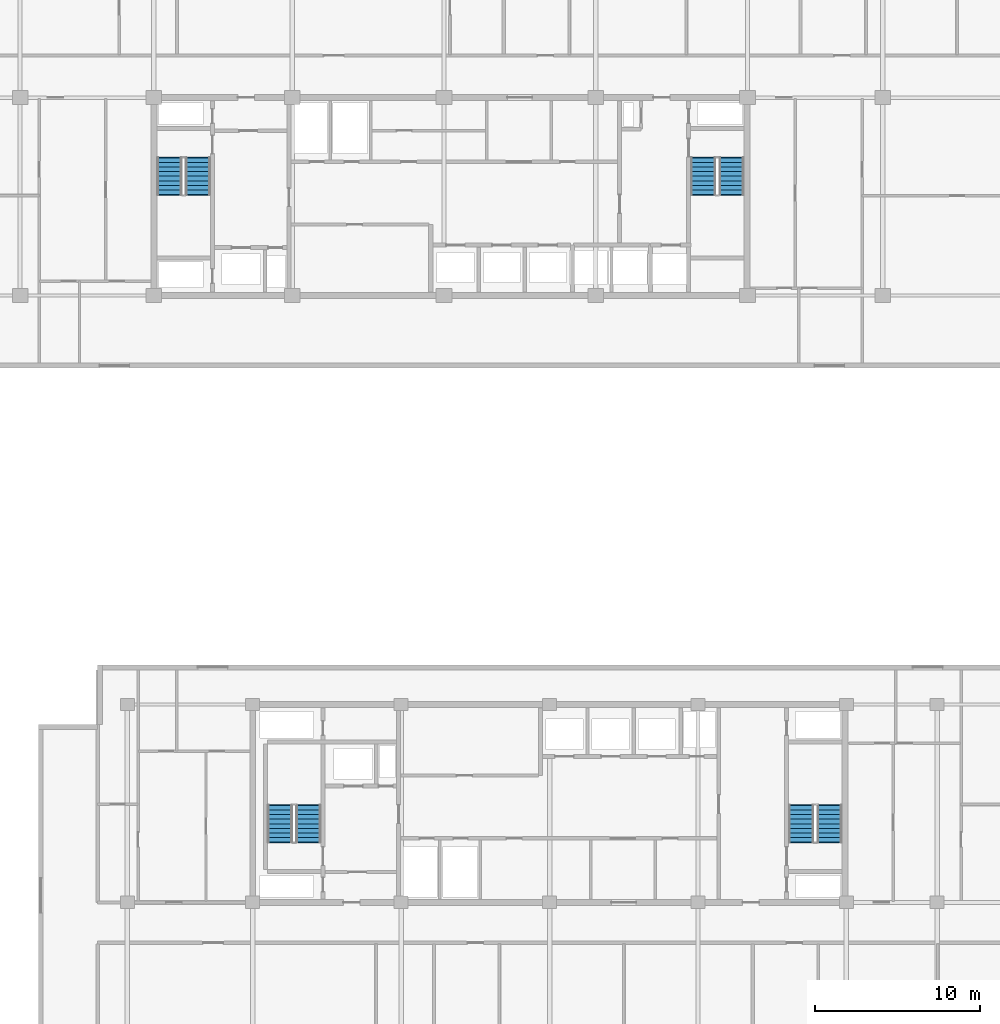
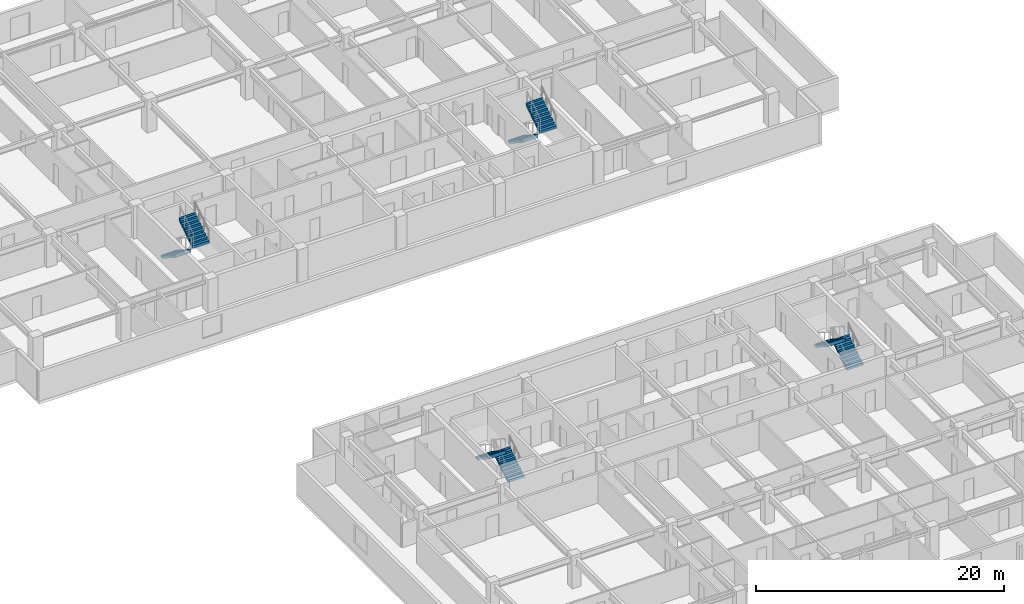
# One storey, part 16 of 21: 8 stair flights, 4 elements without a shape of their own.
"""IFC4 building model written with IfcOpenShell, lengths in metres."""

from ifc_helpers import new_model, si_unit, direction, frame, origin, place, context, subcontext, project, spatial, polyline, outline, extrude, material, type_object, element, aggregate, save


model = new_model("IFC4")

# Units and contexts
model_context = context("Model", 3, precision=1e-05, world=origin(), true_north=direction((0.0, 1.0)))
body_context = subcontext(model_context, "Body", "Model", "MODEL_VIEW")
ifc_project = project(units=[si_unit("LENGTHUNIT", "METRE"), si_unit("AREAUNIT", "SQUARE_METRE"), si_unit("VOLUMEUNIT", "CUBIC_METRE"), si_unit("PLANEANGLEUNIT", "RADIAN"), si_unit("MASSUNIT", "GRAM", prefix="KILO")], contexts=[model_context])

# Site, building, storey
site_placement = place(None, origin())
site = spatial("IfcSite", under=ifc_project, at=site_placement, CompositionType="ELEMENT")
building_placement = place(site_placement, origin())
building = spatial("IfcBuilding", under=site, at=building_placement, Name="Korimba Cascade Residences", CompositionType="ELEMENT")
storey_placement = place(building_placement, frame((0.0, 0.0, 123.050048828125)))
storey = spatial("IfcBuildingStorey", under=building, at=storey_placement, Name="L35", CompositionType="ELEMENT", Elevation=123.050048828125)

# Stair, stair flights
ifc_material = material(Name="Concrete C50/60", Category="concrete")
stair_type_1 = type_object("IfcStairType", Name="STR-W1-18R-1806", PredefinedType="HALF_TURN_STAIR", material=ifc_material)
stair_1_placement = place(storey_placement, origin())
stair_1 = element("IfcStair", 1, at=stair_1_placement, inside=storey, type_object=stair_type_1, Name="L35 Tower 1 West Fire Stair ST-W1", PredefinedType="HALF_TURN_STAIR")
stair_flight_type = type_object("IfcStairFlightType", Name="STF-DL-18R-1806-1520", PredefinedType="STRAIGHT", material=ifc_material)
stair_flight_1_placement = place(storey_placement, frame((77.06005859375, 63.550048828125, 0.0), z_axis=(0.0, 0.0, 1.0), x_axis=(0.0, -1.0, 0.0)))
stair_flight_1 = element("IfcStairFlight", 2, at=stair_flight_1_placement, type_object=stair_flight_type, Name="ST-W1 flight 1", NumberOfRisers=9, NumberOfTreads=8, PredefinedType="STRAIGHT", RiserHeight=0.180555556, TreadLength=0.28, context=body_context, shape_type="SweptSolid", body=[
    extrude(outline(polyline([(-0.0380859375, 0.0), (0.0, 0.1806640625), (0.280029296875, 0.1806640625), (0.280029296875, 0.361083984375), (0.56005859375, 0.361083984375), (0.56005859375, 0.541748046875), (0.840087890625, 0.541748046875), (0.840087890625, 0.72216796875), (1.1201171875, 0.72216796875), (1.1201171875, 0.90283203125), (1.39990234375, 0.90283203125), (1.39990234375, 1.083251953125), (1.679931640625, 1.083251953125), (1.679931640625, 1.263916015625), (1.9599609375, 1.263916015625), (1.9599609375, 1.4443359375), (2.239990234375, 1.4443359375), (2.239990234375, 1.625), (2.278076171875, 1.625), (2.278076171875, 1.26611328125), (0.276611328125, 0.0), (0.276611328125, -0.0380859375), (-0.0380859375, -0.0380859375), (-0.0380859375, 0.0)])), frame((0.0, 0.760009765625, 0.0), z_axis=(0.0, -1.0, 0.0), x_axis=(1.0, 0.0, 0.0)), (0.0, 0.0, 1.0), 1.52001953125),
])
stair_flight_2_placement = place(storey_placement, frame((78.780029296875, 61.31005859375, 1.625), z_axis=(0.0, 0.0, 1.0), x_axis=(0.0, 1.0, 0.0)))
stair_flight_2 = element("IfcStairFlight", 3, at=stair_flight_2_placement, type_object=stair_flight_type, Name="ST-W1 flight 2", NumberOfRisers=9, NumberOfTreads=8, PredefinedType="STRAIGHT", RiserHeight=0.180555556, TreadLength=0.28, context=body_context, shape_type="SweptSolid", body=[
    extrude(outline(polyline([(-0.0380859375, 0.0), (0.0, 0.1806640625), (0.280029296875, 0.1806640625), (0.280029296875, 0.361083984375), (0.56005859375, 0.361083984375), (0.56005859375, 0.541748046875), (0.840087890625, 0.541748046875), (0.840087890625, 0.72216796875), (1.1201171875, 0.72216796875), (1.1201171875, 0.90283203125), (1.39990234375, 0.90283203125), (1.39990234375, 1.083251953125), (1.679931640625, 1.083251953125), (1.679931640625, 1.263916015625), (1.9599609375, 1.263916015625), (1.9599609375, 1.4443359375), (2.239990234375, 1.4443359375), (2.239990234375, 1.625), (2.278076171875, 1.625), (2.278076171875, 1.26611328125), (0.276611328125, 0.0), (0.276611328125, -0.0380859375), (-0.0380859375, -0.0380859375), (-0.0380859375, 0.0)])), frame((0.0, 0.760009765625, 0.0), z_axis=(0.0, -1.0, 0.0), x_axis=(1.0, 0.0, 0.0)), (0.0, 0.0, 1.0), 1.52001953125),
])
aggregate(stair_1, [stair_flight_1, stair_flight_2])

stair_type_2 = type_object("IfcStairType", Name="STR-W2-18R-1806", PredefinedType="HALF_TURN_STAIR", material=ifc_material)
stair_2_placement = place(storey_placement, origin())
stair_2 = element("IfcStair", 4, at=stair_2_placement, inside=storey, type_object=stair_type_2, Name="L35 Tower 1 East Fire Stair ST-W2", PredefinedType="HALF_TURN_STAIR")
stair_flight_3_placement = place(storey_placement, frame((109.419921875, 63.550048828125, 0.0), z_axis=(0.0, 0.0, 1.0), x_axis=(0.0, -1.0, 0.0)))
stair_flight_3 = element("IfcStairFlight", 5, at=stair_flight_3_placement, type_object=stair_flight_type, Name="ST-W2 flight 1", NumberOfRisers=9, NumberOfTreads=8, PredefinedType="STRAIGHT", RiserHeight=0.180555556, TreadLength=0.28, context=body_context, shape_type="SweptSolid", body=[
    extrude(outline(polyline([(-0.0380859375, 0.0), (0.0, 0.1806640625), (0.280029296875, 0.1806640625), (0.280029296875, 0.361083984375), (0.56005859375, 0.361083984375), (0.56005859375, 0.541748046875), (0.840087890625, 0.541748046875), (0.840087890625, 0.72216796875), (1.1201171875, 0.72216796875), (1.1201171875, 0.90283203125), (1.39990234375, 0.90283203125), (1.39990234375, 1.083251953125), (1.679931640625, 1.083251953125), (1.679931640625, 1.263916015625), (1.9599609375, 1.263916015625), (1.9599609375, 1.4443359375), (2.239990234375, 1.4443359375), (2.239990234375, 1.625), (2.278076171875, 1.625), (2.278076171875, 1.26611328125), (0.276611328125, 0.0), (0.276611328125, -0.0380859375), (-0.0380859375, -0.0380859375), (-0.0380859375, 0.0)])), frame((0.0, 0.760009765625, 0.0), z_axis=(0.0, -1.0, 0.0), x_axis=(1.0, 0.0, 0.0)), (0.0, 0.0, 1.0), 1.52001953125),
])
stair_flight_4_placement = place(storey_placement, frame((111.139892578125, 61.31005859375, 1.625), z_axis=(0.0, 0.0, 1.0), x_axis=(0.0, 1.0, 0.0)))
stair_flight_4 = element("IfcStairFlight", 6, at=stair_flight_4_placement, type_object=stair_flight_type, Name="ST-W2 flight 2", NumberOfRisers=9, NumberOfTreads=8, PredefinedType="STRAIGHT", RiserHeight=0.180555556, TreadLength=0.28, context=body_context, shape_type="SweptSolid", body=[
    extrude(outline(polyline([(-0.0380859375, 0.0), (0.0, 0.1806640625), (0.280029296875, 0.1806640625), (0.280029296875, 0.361083984375), (0.56005859375, 0.361083984375), (0.56005859375, 0.541748046875), (0.840087890625, 0.541748046875), (0.840087890625, 0.72216796875), (1.1201171875, 0.72216796875), (1.1201171875, 0.90283203125), (1.39990234375, 0.90283203125), (1.39990234375, 1.083251953125), (1.679931640625, 1.083251953125), (1.679931640625, 1.263916015625), (1.9599609375, 1.263916015625), (1.9599609375, 1.4443359375), (2.239990234375, 1.4443359375), (2.239990234375, 1.625), (2.278076171875, 1.625), (2.278076171875, 1.26611328125), (0.276611328125, 0.0), (0.276611328125, -0.0380859375), (-0.0380859375, -0.0380859375), (-0.0380859375, 0.0)])), frame((0.0, 0.760009765625, 0.0), z_axis=(0.0, -1.0, 0.0), x_axis=(1.0, 0.0, 0.0)), (0.0, 0.0, 1.0), 1.52001953125),
])
aggregate(stair_2, [stair_flight_3, stair_flight_4])

stair_type_3 = type_object("IfcStairType", Name="STR-E1-18R-1806", PredefinedType="HALF_TURN_STAIR", material=ifc_material)
stair_3_placement = place(storey_placement, origin())
stair_3 = element("IfcStair", 7, at=stair_3_placement, inside=storey, type_object=stair_type_3, Name="L35 Tower 2 West Fire Stair ST-E1", PredefinedType="HALF_TURN_STAIR")
stair_flight_5_placement = place(storey_placement, frame((85.47998046875, 22.050048828125, 0.0), z_axis=(0.0, 0.0, 1.0), x_axis=(0.0, 1.0, 0.0)))
stair_flight_5 = element("IfcStairFlight", 8, at=stair_flight_5_placement, type_object=stair_flight_type, Name="ST-E1 flight 1", NumberOfRisers=9, NumberOfTreads=8, PredefinedType="STRAIGHT", RiserHeight=0.180555556, TreadLength=0.28, context=body_context, shape_type="SweptSolid", body=[
    extrude(outline(polyline([(-0.0380859375, 0.0), (0.0, 0.1806640625), (0.280029296875, 0.1806640625), (0.280029296875, 0.361083984375), (0.56005859375, 0.361083984375), (0.56005859375, 0.541748046875), (0.840087890625, 0.541748046875), (0.840087890625, 0.72216796875), (1.1201171875, 0.72216796875), (1.1201171875, 0.90283203125), (1.39990234375, 0.90283203125), (1.39990234375, 1.083251953125), (1.679931640625, 1.083251953125), (1.679931640625, 1.263916015625), (1.9599609375, 1.263916015625), (1.9599609375, 1.4443359375), (2.239990234375, 1.4443359375), (2.239990234375, 1.625), (2.278076171875, 1.625), (2.278076171875, 1.26611328125), (0.276611328125, 0.0), (0.276611328125, -0.0380859375), (-0.0380859375, -0.0380859375), (-0.0380859375, 0.0)])), frame((0.0, 0.760009765625, 0.0), z_axis=(0.0, -1.0, 0.0), x_axis=(1.0, 0.0, 0.0)), (0.0, 0.0, 1.0), 1.52001953125),
])
stair_flight_6_placement = place(storey_placement, frame((83.760009765625, 24.2900390625, 1.625), z_axis=(0.0, 0.0, 1.0), x_axis=(0.0, -1.0, 0.0)))
stair_flight_6 = element("IfcStairFlight", 9, at=stair_flight_6_placement, type_object=stair_flight_type, Name="ST-E1 flight 2", NumberOfRisers=9, NumberOfTreads=8, PredefinedType="STRAIGHT", RiserHeight=0.180555556, TreadLength=0.28, context=body_context, shape_type="SweptSolid", body=[
    extrude(outline(polyline([(-0.0380859375, 0.0), (0.0, 0.1806640625), (0.280029296875, 0.1806640625), (0.280029296875, 0.361083984375), (0.56005859375, 0.361083984375), (0.56005859375, 0.541748046875), (0.840087890625, 0.541748046875), (0.840087890625, 0.72216796875), (1.1201171875, 0.72216796875), (1.1201171875, 0.90283203125), (1.39990234375, 0.90283203125), (1.39990234375, 1.083251953125), (1.679931640625, 1.083251953125), (1.679931640625, 1.263916015625), (1.9599609375, 1.263916015625), (1.9599609375, 1.4443359375), (2.239990234375, 1.4443359375), (2.239990234375, 1.625), (2.278076171875, 1.625), (2.278076171875, 1.26611328125), (0.276611328125, 0.0), (0.276611328125, -0.0380859375), (-0.0380859375, -0.0380859375), (-0.0380859375, 0.0)])), frame((0.0, 0.760009765625, 0.0), z_axis=(0.0, -1.0, 0.0), x_axis=(1.0, 0.0, 0.0)), (0.0, 0.0, 1.0), 1.52001953125),
])
aggregate(stair_3, [stair_flight_5, stair_flight_6])

stair_type_4 = type_object("IfcStairType", Name="STR-E2-18R-1806", PredefinedType="HALF_TURN_STAIR", material=ifc_material)
stair_4_placement = place(storey_placement, origin())
stair_4 = element("IfcStair", 10, at=stair_4_placement, inside=storey, type_object=stair_type_4, Name="L35 Tower 2 East Fire Stair ST-E2", PredefinedType="HALF_TURN_STAIR")
stair_flight_7_placement = place(storey_placement, frame((117.080078125, 22.050048828125, 0.0), z_axis=(0.0, 0.0, 1.0), x_axis=(0.0, 1.0, 0.0)))
stair_flight_7 = element("IfcStairFlight", 11, at=stair_flight_7_placement, type_object=stair_flight_type, Name="ST-E2 flight 1", NumberOfRisers=9, NumberOfTreads=8, PredefinedType="STRAIGHT", RiserHeight=0.180555556, TreadLength=0.28, context=body_context, shape_type="SweptSolid", body=[
    extrude(outline(polyline([(-0.0380859375, 0.0), (0.0, 0.1806640625), (0.280029296875, 0.1806640625), (0.280029296875, 0.361083984375), (0.56005859375, 0.361083984375), (0.56005859375, 0.541748046875), (0.840087890625, 0.541748046875), (0.840087890625, 0.72216796875), (1.1201171875, 0.72216796875), (1.1201171875, 0.90283203125), (1.39990234375, 0.90283203125), (1.39990234375, 1.083251953125), (1.679931640625, 1.083251953125), (1.679931640625, 1.263916015625), (1.9599609375, 1.263916015625), (1.9599609375, 1.4443359375), (2.239990234375, 1.4443359375), (2.239990234375, 1.625), (2.278076171875, 1.625), (2.278076171875, 1.26611328125), (0.276611328125, 0.0), (0.276611328125, -0.0380859375), (-0.0380859375, -0.0380859375), (-0.0380859375, 0.0)])), frame((0.0, 0.760009765625, 0.0), z_axis=(0.0, -1.0, 0.0), x_axis=(1.0, 0.0, 0.0)), (0.0, 0.0, 1.0), 1.52001953125),
])
stair_flight_8_placement = place(storey_placement, frame((115.360107421875, 24.2900390625, 1.625), z_axis=(0.0, 0.0, 1.0), x_axis=(0.0, -1.0, 0.0)))
stair_flight_8 = element("IfcStairFlight", 12, at=stair_flight_8_placement, type_object=stair_flight_type, Name="ST-E2 flight 2", NumberOfRisers=9, NumberOfTreads=8, PredefinedType="STRAIGHT", RiserHeight=0.180555556, TreadLength=0.28, context=body_context, shape_type="SweptSolid", body=[
    extrude(outline(polyline([(-0.0380859375, 0.0), (0.0, 0.1806640625), (0.280029296875, 0.1806640625), (0.280029296875, 0.361083984375), (0.56005859375, 0.361083984375), (0.56005859375, 0.541748046875), (0.840087890625, 0.541748046875), (0.840087890625, 0.72216796875), (1.1201171875, 0.72216796875), (1.1201171875, 0.90283203125), (1.39990234375, 0.90283203125), (1.39990234375, 1.083251953125), (1.679931640625, 1.083251953125), (1.679931640625, 1.263916015625), (1.9599609375, 1.263916015625), (1.9599609375, 1.4443359375), (2.239990234375, 1.4443359375), (2.239990234375, 1.625), (2.278076171875, 1.625), (2.278076171875, 1.26611328125), (0.276611328125, 0.0), (0.276611328125, -0.0380859375), (-0.0380859375, -0.0380859375), (-0.0380859375, 0.0)])), frame((0.0, 0.760009765625, 0.0), z_axis=(0.0, -1.0, 0.0), x_axis=(1.0, 0.0, 0.0)), (0.0, 0.0, 1.0), 1.52001953125),
])
aggregate(stair_4, [stair_flight_7, stair_flight_8])

save(model, "model.ifc")
